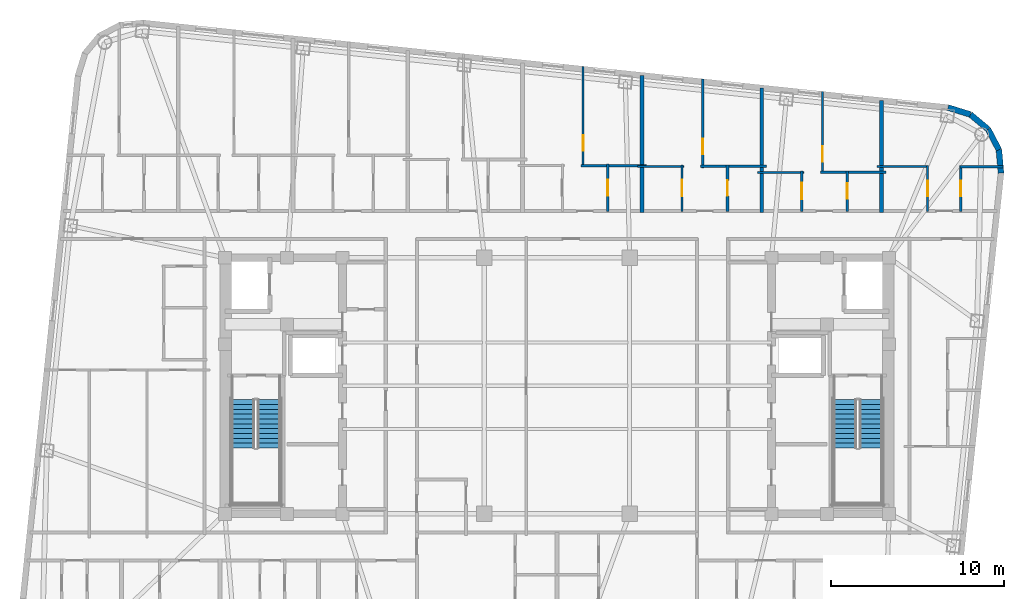
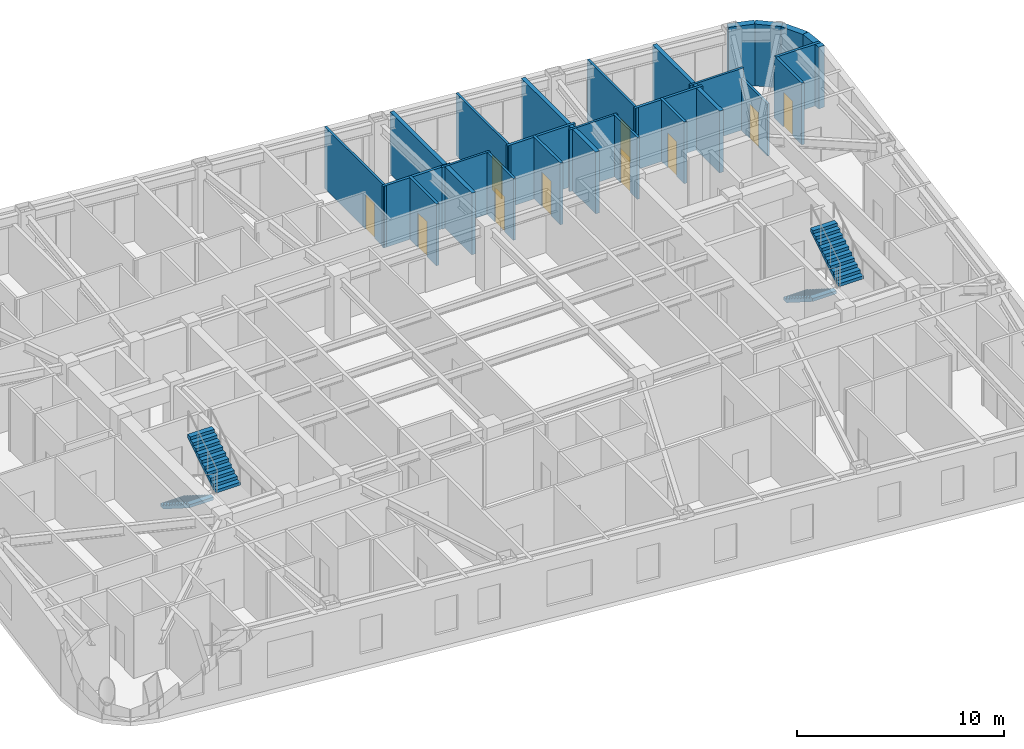
# One storey, part 9 of 11: 24 walls, 10 doors, 4 stair flights, 10 openings, 2 elements without a shape of their own.
"""IFC4 building model written with IfcOpenShell, lengths in metres."""

from ifc_helpers import new_model, si_unit, direction, frame, frame_2d, origin, place, context, subcontext, project, spatial, polyline, rectangle, outline, extrude, material, layer, layer_set, type_object, element, fill, aggregate, save


model = new_model("IFC4")

# Units and contexts
model_context = context("Model", 3, precision=1e-05, world=origin(), true_north=direction((0.0, 1.0)))
body_context = subcontext(model_context, "Body", "Model", "MODEL_VIEW")
ifc_project = project(units=[si_unit("LENGTHUNIT", "METRE"), si_unit("AREAUNIT", "SQUARE_METRE"), si_unit("VOLUMEUNIT", "CUBIC_METRE"), si_unit("PLANEANGLEUNIT", "RADIAN"), si_unit("MASSUNIT", "GRAM", prefix="KILO")], contexts=[model_context])

# Site, building, storey
site_placement = place(None, origin())
site = spatial("IfcSite", under=ifc_project, at=site_placement, CompositionType="ELEMENT")
building_placement = place(site_placement, origin())
building = spatial("IfcBuilding", under=site, at=building_placement, Name="Voryun Gate Residences", CompositionType="ELEMENT")
storey_placement = place(building_placement, frame((0.0, 0.0, 271.699951171875)))
storey = spatial("IfcBuildingStorey", under=building, at=storey_placement, Name="L67", CompositionType="ELEMENT", Elevation=271.699951171875)

# Walls
ifc_material_1 = material(Name="Charcoal terracotta masonry", Category="masonry")
ifc_layer_1 = layer(ifc_material_1, 0.340087890625, Name="W_EXT_TERRACOTTA_340")
ifc_layer_set_1 = layer_set([ifc_layer_1], Name="Charcoal terracotta masonry")
wall_type_1 = type_object("IfcWallType", Name="W_EXT_TERRACOTTA_340", PredefinedType="ELEMENTEDWALL", material=ifc_layer_set_1)
wall_1_placement = place(storey_placement, frame((22.6025390625, 16.083740234375, 0.0), z_axis=(0.0, 0.0, 1.0), x_axis=(0.955007802701, -0.296580674994, 0.0)))
element("IfcWall", 1, at=wall_1_placement, inside=storey, type_object=wall_type_1, Name="Exterior wall WEXT-L67-12", PredefinedType="ELEMENTEDWALL", context=body_context, shape_type="SweptSolid", body=[
    extrude(rectangle(XDim=1.354248046875, YDim=0.340087890625, at=frame_2d((0.67724609375, 0.0))), origin(), (0.0, 0.0, 1.0), 3.650146484375),
])
for number, where, z_axis, x_axis, name in (
    (2, (23.895751953125, 15.68212890625, 0.0), (0.0, 0.0, 1.0), (0.768789762863, -0.639501603217, 0.0), "Exterior wall WEXT-L67-13"),
    (3, (24.923583984375, 14.8271484375, 0.0), (0.0, 0.0, 1.0), (0.46567116636, -0.884957832228, 0.0), "Exterior wall WEXT-L67-14"),
):
    element("IfcWall", number, at=place(storey_placement, frame(where, z_axis=z_axis, x_axis=x_axis)), inside=storey, type_object=wall_type_1, Name=name, PredefinedType="ELEMENTEDWALL", context=body_context, shape_type="SweptSolid", body=[
        extrude(rectangle(XDim=1.3369140625, YDim=0.340087890625, at=frame_2d((0.66845703125, 0.0))), origin(), (0.0, 0.0, 1.0), 3.650146484375),
    ])
wall_2_placement = place(storey_placement, frame((25.546142578125, 13.64404296875, 0.0), z_axis=(0.0, 0.0, 1.0), x_axis=(0.091592370975, -0.995796584438, 0.0)))
element("IfcWall", 4, at=wall_2_placement, inside=storey, type_object=wall_type_1, Name="Exterior wall WEXT-L67-15", PredefinedType="ELEMENTEDWALL", context=body_context, shape_type="SweptSolid", body=[
    extrude(rectangle(XDim=1.35400390625, YDim=0.340087890625, at=frame_2d((0.677001953125, 0.0))), origin(), (0.0, 0.0, 1.0), 3.650146484375),
])
ifc_material_2 = material(Name="Concrete C40/50", Category="concrete")
ifc_layer_2 = layer(ifc_material_2, 0.219970703125, Name="W_PARTY_ACOUSTIC_220")
ifc_layer_set_2 = layer_set([ifc_layer_2], Name="Concrete C40/50")
wall_type_2 = type_object("IfcWallType", Name="W_PARTY_ACOUSTIC_220", PredefinedType="PARTITIONING", material=ifc_layer_set_2)
wall_3_placement = place(storey_placement, frame((4.9189453125, 10.02001953125, 0.0), z_axis=(0.0, 0.0, 1.0), x_axis=(0.0, 1.0, 0.0)))
element("IfcWall", 5, at=wall_3_placement, inside=storey, type_object=wall_type_2, Name="Partition wall WP-L67-NPTY-5", PredefinedType="PARTITIONING", context=body_context, shape_type="SweptSolid", body=[
    extrude(rectangle(XDim=7.92236328125, YDim=0.219970703125, at=frame_2d((3.961181640625, 0.0))), origin(), (0.0, 0.0, 1.0), 3.650146484375),
])
wall_4_placement = place(storey_placement, frame((11.837890625, 10.02001953125, 0.0), z_axis=(0.0, 0.0, 1.0), x_axis=(0.0, 1.0, 0.0)))
element("IfcWall", 6, at=wall_4_placement, inside=storey, type_object=wall_type_2, Name="Partition wall WP-L67-NPTY-6", PredefinedType="PARTITIONING", context=body_context, shape_type="SweptSolid", body=[
    extrude(rectangle(XDim=7.195068359375, YDim=0.219970703125, at=frame_2d((3.59765625, 0.0))), origin(), (0.0, 0.0, 1.0), 3.650146484375),
])
wall_5_placement = place(storey_placement, frame((18.758056640625, 10.02001953125, 0.0), z_axis=(0.0, 0.0, 1.0), x_axis=(0.0, 1.0, 0.0)))
element("IfcWall", 7, at=wall_5_placement, inside=storey, type_object=wall_type_2, Name="Partition wall WP-L67-NPTY-7", PredefinedType="PARTITIONING", context=body_context, shape_type="SweptSolid", body=[
    extrude(rectangle(XDim=6.4677734375, YDim=0.219970703125, at=frame_2d((3.23388671875, 0.0))), origin(), (0.0, 0.0, 1.0), 3.650146484375),
])

# Wall, opening, door
ifc_material_3 = material(Name="Gypsum acoustic partition")
ifc_layer_3 = layer(ifc_material_3, 0.125, Name="W_UNIT_PART_125")
ifc_layer_set_3 = layer_set([ifc_layer_3], Name="Gypsum acoustic partition")
wall_type_3 = type_object("IfcWallType", Name="W_UNIT_PART_125", PredefinedType="PARTITIONING", material=ifc_layer_set_3)
wall_6_placement = place(storey_placement, frame((1.509033203125, 12.64794921875, 0.0), z_axis=(0.0, 0.0, 1.0), x_axis=(0.0, 1.0, 0.0)))
wall_6 = element("IfcWall", 8, at=wall_6_placement, inside=storey, type_object=wall_type_3, Name="Partition wall WP-L67-N5-OVR", PredefinedType="PARTITIONING", context=body_context, shape_type="SweptSolid", body=[
    extrude(rectangle(XDim=5.8037109375, YDim=0.125, at=frame_2d((2.90185546875, 0.0))), origin(), (0.0, 0.0, 1.0), 3.650146484375),
])
opening_1_placement = place(wall_6_placement, frame((0.94287109375, 0.0, 0.0)))
opening_1 = element("IfcOpeningElement", 9, at=opening_1_placement, cuts=wall_6, Name="Opening D-INT-2", PredefinedType="OPENING", context=body_context, shape_type="SweptSolid", body=[
    extrude(rectangle(XDim=0.89990234375, YDim=2.050048828125, at=frame_2d((0.449951171875, 1.02490234375))), frame((0.0, 0.072509765625, 0.0), z_axis=(0.0, -1.0, 0.0), x_axis=(1.0, 0.0, 0.0)), (0.0, 0.0, 1.0), 0.14501953125),
])
ifc_material_4 = material(Name="Architectural oak veneer")
door_type_1 = type_object("IfcDoorType", Name="DR_INT_BATH_900", OperationType="NOTDEFINED", PredefinedType="DOOR", material=ifc_material_4)
door_1_placement = place(opening_1_placement, origin())
door_1 = element("IfcDoor", 10, at=door_1_placement, inside=storey, type_object=door_type_1, Name="Door DR-L67-N5-DMB", OperationType="SINGLE_SWING_RIGHT", OverallHeight=2.050048828125, OverallWidth=0.89990234375, PredefinedType="DOOR", context=body_context, shape_type="SweptSolid", body=[
    extrude(rectangle(XDim=0.89990234375, YDim=2.050048828125, at=frame_2d((0.449951171875, 1.02490234375))), frame((0.0, 0.02490234375, 0.0), z_axis=(0.0, -1.0, 0.0), x_axis=(1.0, 0.0, 0.0)), (0.0, 0.0, 1.0), 0.050048828125),
])
fill(opening_1, door_1)

wall_7_placement = place(storey_placement, frame((8.427978515625, 12.60205078125, 0.0), z_axis=(0.0, 0.0, 1.0), x_axis=(0.0, 1.0, 0.0)))
wall_7 = element("IfcWall", 11, at=wall_7_placement, inside=storey, type_object=wall_type_3, Name="Partition wall WP-L67-N6-OVR", PredefinedType="PARTITIONING", context=body_context, shape_type="SweptSolid", body=[
    extrude(rectangle(XDim=5.122314453125, YDim=0.125, at=frame_2d((2.56103515625, 0.0))), origin(), (0.0, 0.0, 1.0), 3.650146484375),
])
opening_2_placement = place(wall_7_placement, frame((0.779296875, 0.0, 0.0)))
opening_2 = element("IfcOpeningElement", 12, at=opening_2_placement, cuts=wall_7, Name="Opening D-INT-2", PredefinedType="OPENING", context=body_context, shape_type="SweptSolid", body=[
    extrude(rectangle(XDim=0.89990234375, YDim=2.050048828125, at=frame_2d((0.449951171875, 1.02490234375))), frame((0.0, 0.072509765625, 0.0), z_axis=(0.0, -1.0, 0.0), x_axis=(1.0, 0.0, 0.0)), (0.0, 0.0, 1.0), 0.14501953125),
])
door_2_placement = place(opening_2_placement, origin())
door_2 = element("IfcDoor", 13, at=door_2_placement, inside=storey, type_object=door_type_1, Name="Door DR-L67-N6-DMB", OperationType="SINGLE_SWING_RIGHT", OverallHeight=2.050048828125, OverallWidth=0.89990234375, PredefinedType="DOOR", context=body_context, shape_type="SweptSolid", body=[
    extrude(rectangle(XDim=0.89990234375, YDim=2.050048828125, at=frame_2d((0.449951171875, 1.02490234375))), frame((0.0, 0.02490234375, 0.0), z_axis=(0.0, -1.0, 0.0), x_axis=(1.0, 0.0, 0.0)), (0.0, 0.0, 1.0), 0.050048828125),
])
fill(opening_2, door_2)

wall_8_placement = place(storey_placement, frame((7.22900390625, 10.080078125, 0.0), z_axis=(0.0, 0.0, 1.0), x_axis=(0.0, 1.0, 0.0)))
wall_8 = element("IfcWall", 14, at=wall_8_placement, inside=storey, type_object=wall_type_3, Name="Partition wall WP-L67-N6-IVK", PredefinedType="PARTITIONING", context=body_context, shape_type="SweptSolid", body=[
    extrude(rectangle(XDim=2.681884765625, YDim=0.125, at=frame_2d((1.3408203125, 0.0))), origin(), (0.0, 0.0, 1.0), 3.650146484375),
])
opening_3_placement = place(wall_8_placement, frame((0.865966796875, 0.0, 0.0)))
opening_3 = element("IfcOpeningElement", 15, at=opening_3_placement, cuts=wall_8, Name="Opening D-INT-1", PredefinedType="OPENING", context=body_context, shape_type="SweptSolid", body=[
    extrude(rectangle(XDim=0.949951171875, YDim=2.050048828125, at=frame_2d((0.47509765625, 1.02490234375))), frame((0.0, 0.072509765625, 0.0), z_axis=(0.0, -1.0, 0.0), x_axis=(1.0, 0.0, 0.0)), (0.0, 0.0, 1.0), 0.14501953125),
])
ifc_material_5 = material(Name="Architectural oak veneer")
door_type_2 = type_object("IfcDoorType", Name="DR_INT_ROOM_950", OperationType="NOTDEFINED", PredefinedType="DOOR", material=ifc_material_5)
door_3_placement = place(opening_3_placement, origin())
door_3 = element("IfcDoor", 16, at=door_3_placement, inside=storey, type_object=door_type_2, Name="Door DR-L67-N6-DK", OperationType="SINGLE_SWING_LEFT", OverallHeight=2.050048828125, OverallWidth=0.949951171875, PredefinedType="DOOR", context=body_context, shape_type="SweptSolid", body=[
    extrude(rectangle(XDim=0.949951171875, YDim=2.050048828125, at=frame_2d((0.47509765625, 1.02490234375))), frame((0.0, 0.02490234375, 0.0), z_axis=(0.0, -1.0, 0.0), x_axis=(1.0, 0.0, 0.0)), (0.0, 0.0, 1.0), 0.050048828125),
])
fill(opening_3, door_3)

# Wall
wall_9_placement = place(storey_placement, frame((4.658935546875, 12.681884765625, 0.0), z_axis=(0.0, 0.0, 1.0), x_axis=(1.0, 0.0, 0.0)))
element("IfcWall", 17, at=wall_9_placement, inside=storey, type_object=wall_type_3, Name="Partition wall WP-L67-N6-HZK", PredefinedType="PARTITIONING", context=body_context, shape_type="SweptSolid", body=[
    extrude(rectangle(XDim=2.690185546875, YDim=0.125, at=frame_2d((1.34521484375, 0.0))), origin(), (0.0, 0.0, 1.0), 3.650146484375),
])

# Wall, opening, door
wall_10_placement = place(storey_placement, frame((15.347900390625, 12.257080078125, 0.0), z_axis=(0.0, 0.0, 1.0), x_axis=(0.0, 1.0, 0.0)))
wall_10 = element("IfcWall", 18, at=wall_10_placement, inside=storey, type_object=wall_type_3, Name="Partition wall WP-L67-N7-OVR", PredefinedType="PARTITIONING", context=body_context, shape_type="SweptSolid", body=[
    extrude(rectangle(XDim=4.739990234375, YDim=0.125, at=frame_2d((2.3701171875, 0.0))), origin(), (0.0, 0.0, 1.0), 3.650146484375),
])
opening_4_placement = place(wall_10_placement, frame((0.6875, 0.0, 0.0)))
opening_4 = element("IfcOpeningElement", 19, at=opening_4_placement, cuts=wall_10, Name="Opening D-INT-2", PredefinedType="OPENING", context=body_context, shape_type="SweptSolid", body=[
    extrude(rectangle(XDim=0.89990234375, YDim=2.050048828125, at=frame_2d((0.449951171875, 1.02490234375))), frame((0.0, 0.072509765625, 0.0), z_axis=(0.0, -1.0, 0.0), x_axis=(1.0, 0.0, 0.0)), (0.0, 0.0, 1.0), 0.14501953125),
])
door_4_placement = place(opening_4_placement, origin())
door_4 = element("IfcDoor", 20, at=door_4_placement, inside=storey, type_object=door_type_1, Name="Door DR-L67-N7-DMB", OperationType="SINGLE_SWING_RIGHT", OverallHeight=2.050048828125, OverallWidth=0.89990234375, PredefinedType="DOOR", context=body_context, shape_type="SweptSolid", body=[
    extrude(rectangle(XDim=0.89990234375, YDim=2.050048828125, at=frame_2d((0.449951171875, 1.02490234375))), frame((0.0, 0.02490234375, 0.0), z_axis=(0.0, -1.0, 0.0), x_axis=(1.0, 0.0, 0.0)), (0.0, 0.0, 1.0), 0.050048828125),
])
fill(opening_4, door_4)

wall_11_placement = place(storey_placement, frame((14.14794921875, 10.080078125, 0.0), z_axis=(0.0, 0.0, 1.0), x_axis=(0.0, 1.0, 0.0)))
wall_11 = element("IfcWall", 21, at=wall_11_placement, inside=storey, type_object=wall_type_3, Name="Partition wall WP-L67-N7-IVK", PredefinedType="PARTITIONING", context=body_context, shape_type="SweptSolid", body=[
    extrude(rectangle(XDim=2.3369140625, YDim=0.125, at=frame_2d((1.16845703125, 0.0))), origin(), (0.0, 0.0, 1.0), 3.650146484375),
])
opening_5_placement = place(wall_11_placement, frame((0.693603515625, 0.0, 0.0)))
opening_5 = element("IfcOpeningElement", 22, at=opening_5_placement, cuts=wall_11, Name="Opening D-INT-1", PredefinedType="OPENING", context=body_context, shape_type="SweptSolid", body=[
    extrude(rectangle(XDim=0.949951171875, YDim=2.050048828125, at=frame_2d((0.47509765625, 1.02490234375))), frame((0.0, 0.072509765625, 0.0), z_axis=(0.0, -1.0, 0.0), x_axis=(1.0, 0.0, 0.0)), (0.0, 0.0, 1.0), 0.14501953125),
])
door_5_placement = place(opening_5_placement, origin())
door_5 = element("IfcDoor", 23, at=door_5_placement, inside=storey, type_object=door_type_2, Name="Door DR-L67-N7-DK", OperationType="SINGLE_SWING_LEFT", OverallHeight=2.050048828125, OverallWidth=0.949951171875, PredefinedType="DOOR", context=body_context, shape_type="SweptSolid", body=[
    extrude(rectangle(XDim=0.949951171875, YDim=2.050048828125, at=frame_2d((0.47509765625, 1.02490234375))), frame((0.0, 0.02490234375, 0.0), z_axis=(0.0, -1.0, 0.0), x_axis=(1.0, 0.0, 0.0)), (0.0, 0.0, 1.0), 0.050048828125),
])
fill(opening_5, door_5)

# Wall
wall_12_placement = place(storey_placement, frame((11.577880859375, 12.3369140625, 0.0), z_axis=(0.0, 0.0, 1.0), x_axis=(1.0, 0.0, 0.0)))
element("IfcWall", 24, at=wall_12_placement, inside=storey, type_object=wall_type_3, Name="Partition wall WP-L67-N7-HZK", PredefinedType="PARTITIONING", context=body_context, shape_type="SweptSolid", body=[
    extrude(rectangle(XDim=2.690185546875, YDim=0.125, at=frame_2d((1.34521484375, 0.0))), origin(), (0.0, 0.0, 1.0), 3.650146484375),
])

# Wall, opening, door
wall_13_placement = place(storey_placement, frame((21.424072265625, 10.080078125, 0.0), z_axis=(0.0, 0.0, 1.0), x_axis=(0.0, 1.0, 0.0)))
wall_13 = element("IfcWall", 25, at=wall_13_placement, inside=storey, type_object=wall_type_3, Name="Partition wall WP-L67-N8-CVK", PredefinedType="PARTITIONING", context=body_context, shape_type="SweptSolid", body=[
    extrude(rectangle(XDim=2.64990234375, YDim=0.125, at=frame_2d((1.324951171875, 0.0))), origin(), (0.0, 0.0, 1.0), 3.090087890625),
])
opening_6_placement = place(wall_13_placement, frame((0.875, 0.0, 0.0)))
opening_6 = element("IfcOpeningElement", 26, at=opening_6_placement, cuts=wall_13, Name="Opening D-INT-2", PredefinedType="OPENING", context=body_context, shape_type="SweptSolid", body=[
    extrude(rectangle(XDim=0.89990234375, YDim=2.050048828125, at=frame_2d((0.449951171875, 1.02490234375))), frame((0.0, 0.072509765625, 0.0), z_axis=(0.0, -1.0, 0.0), x_axis=(1.0, 0.0, 0.0)), (0.0, 0.0, 1.0), 0.14501953125),
])
door_6_placement = place(opening_6_placement, origin())
door_6 = element("IfcDoor", 27, at=door_6_placement, inside=storey, type_object=door_type_1, Name="Door DR-L67-N8-DK", OperationType="SINGLE_SWING_LEFT", OverallHeight=2.050048828125, OverallWidth=0.89990234375, PredefinedType="DOOR", context=body_context, shape_type="SweptSolid", body=[
    extrude(rectangle(XDim=0.89990234375, YDim=2.050048828125, at=frame_2d((0.449951171875, 1.02490234375))), frame((0.0, 0.02490234375, 0.0), z_axis=(0.0, -1.0, 0.0), x_axis=(1.0, 0.0, 0.0)), (0.0, 0.0, 1.0), 0.050048828125),
])
fill(opening_6, door_6)

# Walls
wall_14_placement = place(storey_placement, frame((18.498046875, 12.669921875, 0.0), z_axis=(0.0, 0.0, 1.0), x_axis=(1.0, 0.0, 0.0)))
element("IfcWall", 28, at=wall_14_placement, inside=storey, type_object=wall_type_3, Name="Partition wall WP-L67-N8-CHK", PredefinedType="PARTITIONING", context=body_context, shape_type="SweptSolid", body=[
    extrude(rectangle(XDim=2.98583984375, YDim=0.125, at=frame_2d((1.492919921875, 0.0))), origin(), (0.0, 0.0, 1.0), 3.650146484375),
])
ifc_material_6 = material(Name="Gypsum moisture-resistant partition")
ifc_layer_4 = layer(ifc_material_6, 0.14990234375, Name="W_WET_PLUMB_150")
ifc_layer_set_4 = layer_set([ifc_layer_4], Name="Gypsum moisture-resistant partition")
wall_type_4 = type_object("IfcWallType", Name="W_WET_PLUMB_150", PredefinedType="PLUMBINGWALL", material=ifc_layer_set_4)
wall_15_placement = place(storey_placement, frame((1.388916015625, 12.72802734375, 0.0), z_axis=(0.0, 0.0, 1.0), x_axis=(1.0, 0.0, 0.0)))
element("IfcWall", 29, at=wall_15_placement, inside=storey, type_object=wall_type_4, Name="Partition wall WP-L67-N5-HZB", PredefinedType="PLUMBINGWALL", context=body_context, shape_type="SweptSolid", body=[
    extrude(rectangle(XDim=3.7900390625, YDim=0.14990234375, at=frame_2d((1.89501953125, 0.0))), origin(), (0.0, 0.0, 1.0), 3.650146484375),
])

# Wall, opening, door
wall_16_placement = place(storey_placement, frame((2.93896484375, 10.080078125, 0.0), z_axis=(0.0, 0.0, 1.0), x_axis=(0.0, 1.0, 0.0)))
wall_16 = element("IfcWall", 30, at=wall_16_placement, inside=storey, type_object=wall_type_4, Name="Partition wall WP-L67-N5-IVB", PredefinedType="PLUMBINGWALL", context=body_context, shape_type="SweptSolid", body=[
    extrude(rectangle(XDim=2.72802734375, YDim=0.14990234375, at=frame_2d((1.364013671875, 0.0))), origin(), (0.0, 0.0, 1.0), 3.650146484375),
])
opening_7_placement = place(wall_16_placement, frame((0.9140625, 0.0, 0.0)))
opening_7 = element("IfcOpeningElement", 31, at=opening_7_placement, cuts=wall_16, Name="Opening D-INT-2", PredefinedType="OPENING", context=body_context, shape_type="SweptSolid", body=[
    extrude(rectangle(XDim=0.89990234375, YDim=2.050048828125, at=frame_2d((0.449951171875, 1.02490234375))), frame((0.0, 0.0849609375, 0.0), z_axis=(0.0, -1.0, 0.0), x_axis=(1.0, 0.0, 0.0)), (0.0, 0.0, 1.0), 0.169921875),
])
door_7_placement = place(opening_7_placement, origin())
door_7 = element("IfcDoor", 32, at=door_7_placement, inside=storey, type_object=door_type_1, Name="Door DR-L67-N5-DB", OperationType="SINGLE_SWING_RIGHT", OverallHeight=2.050048828125, OverallWidth=0.89990234375, PredefinedType="DOOR", context=body_context, shape_type="SweptSolid", body=[
    extrude(rectangle(XDim=0.89990234375, YDim=2.050048828125, at=frame_2d((0.449951171875, 1.02490234375))), frame((0.0, 0.02490234375, 0.0), z_axis=(0.0, -1.0, 0.0), x_axis=(1.0, 0.0, 0.0)), (0.0, 0.0, 1.0), 0.050048828125),
])
fill(opening_7, door_7)

# Wall
wall_17_placement = place(storey_placement, frame((8.30810546875, 12.681884765625, 0.0), z_axis=(0.0, 0.0, 1.0), x_axis=(1.0, 0.0, 0.0)))
element("IfcWall", 33, at=wall_17_placement, inside=storey, type_object=wall_type_4, Name="Partition wall WP-L67-N6-HZB", PredefinedType="PLUMBINGWALL", context=body_context, shape_type="SweptSolid", body=[
    extrude(rectangle(XDim=3.789794921875, YDim=0.14990234375, at=frame_2d((1.89501953125, 0.0))), origin(), (0.0, 0.0, 1.0), 3.650146484375),
])

# Wall, opening, door
wall_18_placement = place(storey_placement, frame((9.85791015625, 10.080078125, 0.0), z_axis=(0.0, 0.0, 1.0), x_axis=(0.0, 1.0, 0.0)))
wall_18 = element("IfcWall", 34, at=wall_18_placement, inside=storey, type_object=wall_type_4, Name="Partition wall WP-L67-N6-IVB", PredefinedType="PLUMBINGWALL", context=body_context, shape_type="SweptSolid", body=[
    extrude(rectangle(XDim=2.681884765625, YDim=0.14990234375, at=frame_2d((1.3408203125, 0.0))), origin(), (0.0, 0.0, 1.0), 3.650146484375),
])
opening_8_placement = place(wall_18_placement, frame((0.89111328125, 0.0, 0.0)))
opening_8 = element("IfcOpeningElement", 35, at=opening_8_placement, cuts=wall_18, Name="Opening D-INT-2", PredefinedType="OPENING", context=body_context, shape_type="SweptSolid", body=[
    extrude(rectangle(XDim=0.89990234375, YDim=2.050048828125, at=frame_2d((0.449951171875, 1.02490234375))), frame((0.0, 0.0849609375, 0.0), z_axis=(0.0, -1.0, 0.0), x_axis=(1.0, 0.0, 0.0)), (0.0, 0.0, 1.0), 0.169921875),
])
door_8_placement = place(opening_8_placement, origin())
door_8 = element("IfcDoor", 36, at=door_8_placement, inside=storey, type_object=door_type_1, Name="Door DR-L67-N6-DB", OperationType="SINGLE_SWING_RIGHT", OverallHeight=2.050048828125, OverallWidth=0.89990234375, PredefinedType="DOOR", context=body_context, shape_type="SweptSolid", body=[
    extrude(rectangle(XDim=0.89990234375, YDim=2.050048828125, at=frame_2d((0.449951171875, 1.02490234375))), frame((0.0, 0.02490234375, 0.0), z_axis=(0.0, -1.0, 0.0), x_axis=(1.0, 0.0, 0.0)), (0.0, 0.0, 1.0), 0.050048828125),
])
fill(opening_8, door_8)

# Wall
wall_19_placement = place(storey_placement, frame((15.22802734375, 12.3369140625, 0.0), z_axis=(0.0, 0.0, 1.0), x_axis=(1.0, 0.0, 0.0)))
element("IfcWall", 37, at=wall_19_placement, inside=storey, type_object=wall_type_4, Name="Partition wall WP-L67-N7-HZB", PredefinedType="PLUMBINGWALL", context=body_context, shape_type="SweptSolid", body=[
    extrude(rectangle(XDim=3.7900390625, YDim=0.14990234375, at=frame_2d((1.89501953125, 0.0))), origin(), (0.0, 0.0, 1.0), 3.650146484375),
])

# Wall, opening, door
wall_20_placement = place(storey_placement, frame((16.778076171875, 10.080078125, 0.0), z_axis=(0.0, 0.0, 1.0), x_axis=(0.0, 1.0, 0.0)))
wall_20 = element("IfcWall", 38, at=wall_20_placement, inside=storey, type_object=wall_type_4, Name="Partition wall WP-L67-N7-IVB", PredefinedType="PLUMBINGWALL", context=body_context, shape_type="SweptSolid", body=[
    extrude(rectangle(XDim=2.3369140625, YDim=0.14990234375, at=frame_2d((1.16845703125, 0.0))), origin(), (0.0, 0.0, 1.0), 3.650146484375),
])
opening_9_placement = place(wall_20_placement, frame((0.718505859375, 0.0, 0.0)))
opening_9 = element("IfcOpeningElement", 39, at=opening_9_placement, cuts=wall_20, Name="Opening D-INT-2", PredefinedType="OPENING", context=body_context, shape_type="SweptSolid", body=[
    extrude(rectangle(XDim=0.89990234375, YDim=2.050048828125, at=frame_2d((0.449951171875, 1.02490234375))), frame((0.0, 0.0849609375, 0.0), z_axis=(0.0, -1.0, 0.0), x_axis=(1.0, 0.0, 0.0)), (0.0, 0.0, 1.0), 0.169921875),
])
door_9_placement = place(opening_9_placement, origin())
door_9 = element("IfcDoor", 40, at=door_9_placement, inside=storey, type_object=door_type_1, Name="Door DR-L67-N7-DB", OperationType="SINGLE_SWING_RIGHT", OverallHeight=2.050048828125, OverallWidth=0.89990234375, PredefinedType="DOOR", context=body_context, shape_type="SweptSolid", body=[
    extrude(rectangle(XDim=0.89990234375, YDim=2.050048828125, at=frame_2d((0.449951171875, 1.02490234375))), frame((0.0, 0.02490234375, 0.0), z_axis=(0.0, -1.0, 0.0), x_axis=(1.0, 0.0, 0.0)), (0.0, 0.0, 1.0), 0.050048828125),
])
fill(opening_9, door_9)

wall_21_placement = place(storey_placement, frame((23.344970703125, 10.080078125, 0.0), z_axis=(0.0, 0.0, 1.0), x_axis=(0.0, 1.0, 0.0)))
wall_21 = element("IfcWall", 41, at=wall_21_placement, inside=storey, type_object=wall_type_4, Name="Partition wall WP-L67-N8-CVB", PredefinedType="PLUMBINGWALL", context=body_context, shape_type="SweptSolid", body=[
    extrude(rectangle(XDim=2.64990234375, YDim=0.14990234375, at=frame_2d((1.324951171875, 0.0))), origin(), (0.0, 0.0, 1.0), 3.650146484375),
])
opening_10_placement = place(wall_21_placement, frame((0.875, 0.0, 0.0)))
opening_10 = element("IfcOpeningElement", 42, at=opening_10_placement, cuts=wall_21, Name="Opening D-INT-2", PredefinedType="OPENING", context=body_context, shape_type="SweptSolid", body=[
    extrude(rectangle(XDim=0.89990234375, YDim=2.050048828125, at=frame_2d((0.449951171875, 1.02490234375))), frame((0.0, 0.0849609375, 0.0), z_axis=(0.0, -1.0, 0.0), x_axis=(1.0, 0.0, 0.0)), (0.0, 0.0, 1.0), 0.169921875),
])
door_10_placement = place(opening_10_placement, origin())
door_10 = element("IfcDoor", 43, at=door_10_placement, inside=storey, type_object=door_type_1, Name="Door DR-L67-N8-DB", OperationType="SINGLE_SWING_RIGHT", OverallHeight=2.050048828125, OverallWidth=0.89990234375, PredefinedType="DOOR", context=body_context, shape_type="SweptSolid", body=[
    extrude(rectangle(XDim=0.89990234375, YDim=2.050048828125, at=frame_2d((0.449951171875, 1.02490234375))), frame((0.0, 0.02490234375, 0.0), z_axis=(0.0, -1.0, 0.0), x_axis=(1.0, 0.0, 0.0)), (0.0, 0.0, 1.0), 0.050048828125),
])
fill(opening_10, door_10)

# Wall
wall_22_placement = place(storey_placement, frame((23.284912109375, 12.669921875, 0.0), z_axis=(0.0, 0.0, 1.0), x_axis=(1.0, 0.0, 0.0)))
element("IfcWall", 44, at=wall_22_placement, inside=storey, type_object=wall_type_4, Name="Partition wall WP-L67-N8-CHB", PredefinedType="PLUMBINGWALL", context=body_context, shape_type="SweptSolid", body=[
    extrude(rectangle(XDim=2.50146484375, YDim=0.14990234375, at=frame_2d((1.250732421875, 0.0))), origin(), (0.0, 0.0, 1.0), 3.650146484375),
])

# Stair, stair flights
ifc_material_7 = material(Name="Concrete C40/50", Category="concrete")
stair_type = type_object("IfcStairType", Name="STR_CORE_DOGLEG_1350", PredefinedType="HALF_TURN_STAIR", material=ifc_material_7)
stair_1_placement = place(storey_placement, origin())
stair_1 = element("IfcStair", 45, at=stair_1_placement, inside=storey, type_object=stair_type, Name="L67 Special Escape Stair ST-W1", PredefinedType="HALF_TURN_STAIR")
ifc_material_8 = material(Name="Concrete C40/50", Category="concrete")
stair_flight_type = type_object("IfcStairFlightType", Name="FLT_CORE_1350", PredefinedType="STRAIGHT", material=ifc_material_8)
stair_flight_1_placement = place(storey_placement, frame((-18.14990234375, -0.800048828125, 0.0), z_axis=(0.0, 0.0, 1.0), x_axis=(0.0, -1.0, 0.0)))
stair_flight_1 = element("IfcStairFlight", 46, at=stair_flight_1_placement, type_object=stair_flight_type, Name="ST-W1 flight 1", NumberOfRisers=11, NumberOfTreads=10, PredefinedType="STRAIGHT", RiserHeight=0.177272727, TreadLength=0.28, context=body_context, shape_type="SweptSolid", body=[
    extrude(outline(polyline([(0.0, 0.0), (0.0, 0.17724609375), (0.280029296875, 0.17724609375), (0.280029296875, 0.3544921875), (0.56005859375, 0.3544921875), (0.56005859375, 0.53173828125), (0.840087890625, 0.53173828125), (0.840087890625, 0.708984375), (1.1201171875, 0.708984375), (1.1201171875, 0.886474609375), (1.39990234375, 0.886474609375), (1.39990234375, 1.063720703125), (1.679931640625, 1.063720703125), (1.679931640625, 1.240966796875), (1.9599609375, 1.240966796875), (1.9599609375, 1.418212890625), (2.239990234375, 1.418212890625), (2.239990234375, 1.595458984375), (2.52001953125, 1.595458984375), (2.52001953125, 1.772705078125), (2.800048828125, 1.772705078125), (2.800048828125, 1.949951171875), (2.800048828125, 1.59521484375), (0.2802734375, 0.0), (0.0, 0.0)])), frame((0.0, 0.675048828125, 0.0), z_axis=(0.0, -1.0, 0.0), x_axis=(1.0, 0.0, 0.0)), (0.0, 0.0, 1.0), 1.35009765625),
])
stair_flight_2_placement = place(storey_placement, frame((-16.64990234375, -3.60009765625, 1.949951171875), z_axis=(0.0, 0.0, 1.0), x_axis=(0.0, 1.0, 0.0)))
stair_flight_2 = element("IfcStairFlight", 47, at=stair_flight_2_placement, type_object=stair_flight_type, Name="ST-W1 flight 2", NumberOfRisers=11, NumberOfTreads=10, PredefinedType="STRAIGHT", RiserHeight=0.177272727, TreadLength=0.28, context=body_context, shape_type="SweptSolid", body=[
    extrude(outline(polyline([(0.0, 0.0), (0.0, 0.17724609375), (0.280029296875, 0.17724609375), (0.280029296875, 0.3544921875), (0.56005859375, 0.3544921875), (0.56005859375, 0.53173828125), (0.840087890625, 0.53173828125), (0.840087890625, 0.708984375), (1.1201171875, 0.708984375), (1.1201171875, 0.886474609375), (1.39990234375, 0.886474609375), (1.39990234375, 1.063720703125), (1.679931640625, 1.063720703125), (1.679931640625, 1.240966796875), (1.9599609375, 1.240966796875), (1.9599609375, 1.418212890625), (2.239990234375, 1.418212890625), (2.239990234375, 1.595458984375), (2.52001953125, 1.595458984375), (2.52001953125, 1.772705078125), (2.800048828125, 1.772705078125), (2.800048828125, 1.949951171875), (2.800048828125, 1.59521484375), (0.2802734375, 0.0), (0.0, 0.0)])), frame((0.0, 0.675048828125, 0.0), z_axis=(0.0, -1.0, 0.0), x_axis=(1.0, 0.0, 0.0)), (0.0, 0.0, 1.0), 1.35009765625),
])
aggregate(stair_1, [stair_flight_1, stair_flight_2])

stair_2_placement = place(storey_placement, origin())
stair_2 = element("IfcStair", 48, at=stair_2_placement, inside=storey, type_object=stair_type, Name="L67 Special Escape Stair ST-E1", PredefinedType="HALF_TURN_STAIR")
stair_flight_3_placement = place(storey_placement, frame((16.64990234375, -0.800048828125, 0.0), z_axis=(0.0, 0.0, 1.0), x_axis=(0.0, -1.0, 0.0)))
stair_flight_3 = element("IfcStairFlight", 49, at=stair_flight_3_placement, type_object=stair_flight_type, Name="ST-E1 flight 1", NumberOfRisers=11, NumberOfTreads=10, PredefinedType="STRAIGHT", RiserHeight=0.177272727, TreadLength=0.28, context=body_context, shape_type="SweptSolid", body=[
    extrude(outline(polyline([(0.0, 0.0), (0.0, 0.17724609375), (0.280029296875, 0.17724609375), (0.280029296875, 0.3544921875), (0.56005859375, 0.3544921875), (0.56005859375, 0.53173828125), (0.840087890625, 0.53173828125), (0.840087890625, 0.708984375), (1.1201171875, 0.708984375), (1.1201171875, 0.886474609375), (1.39990234375, 0.886474609375), (1.39990234375, 1.063720703125), (1.679931640625, 1.063720703125), (1.679931640625, 1.240966796875), (1.9599609375, 1.240966796875), (1.9599609375, 1.418212890625), (2.239990234375, 1.418212890625), (2.239990234375, 1.595458984375), (2.52001953125, 1.595458984375), (2.52001953125, 1.772705078125), (2.800048828125, 1.772705078125), (2.800048828125, 1.949951171875), (2.800048828125, 1.59521484375), (0.2802734375, 0.0), (0.0, 0.0)])), frame((0.0, 0.675048828125, 0.0), z_axis=(0.0, -1.0, 0.0), x_axis=(1.0, 0.0, 0.0)), (0.0, 0.0, 1.0), 1.35009765625),
])
stair_flight_4_placement = place(storey_placement, frame((18.14990234375, -3.60009765625, 1.949951171875), z_axis=(0.0, 0.0, 1.0), x_axis=(0.0, 1.0, 0.0)))
stair_flight_4 = element("IfcStairFlight", 50, at=stair_flight_4_placement, type_object=stair_flight_type, Name="ST-E1 flight 2", NumberOfRisers=11, NumberOfTreads=10, PredefinedType="STRAIGHT", RiserHeight=0.177272727, TreadLength=0.28, context=body_context, shape_type="SweptSolid", body=[
    extrude(outline(polyline([(0.0, 0.0), (0.0, 0.17724609375), (0.280029296875, 0.17724609375), (0.280029296875, 0.3544921875), (0.56005859375, 0.3544921875), (0.56005859375, 0.53173828125), (0.840087890625, 0.53173828125), (0.840087890625, 0.708984375), (1.1201171875, 0.708984375), (1.1201171875, 0.886474609375), (1.39990234375, 0.886474609375), (1.39990234375, 1.063720703125), (1.679931640625, 1.063720703125), (1.679931640625, 1.240966796875), (1.9599609375, 1.240966796875), (1.9599609375, 1.418212890625), (2.239990234375, 1.418212890625), (2.239990234375, 1.595458984375), (2.52001953125, 1.595458984375), (2.52001953125, 1.772705078125), (2.800048828125, 1.772705078125), (2.800048828125, 1.949951171875), (2.800048828125, 1.59521484375), (0.2802734375, 0.0), (0.0, 0.0)])), frame((0.0, 0.675048828125, 0.0), z_axis=(0.0, -1.0, 0.0), x_axis=(1.0, 0.0, 0.0)), (0.0, 0.0, 1.0), 1.35009765625),
])
aggregate(stair_2, [stair_flight_3, stair_flight_4])

save(model, "model.ifc")
